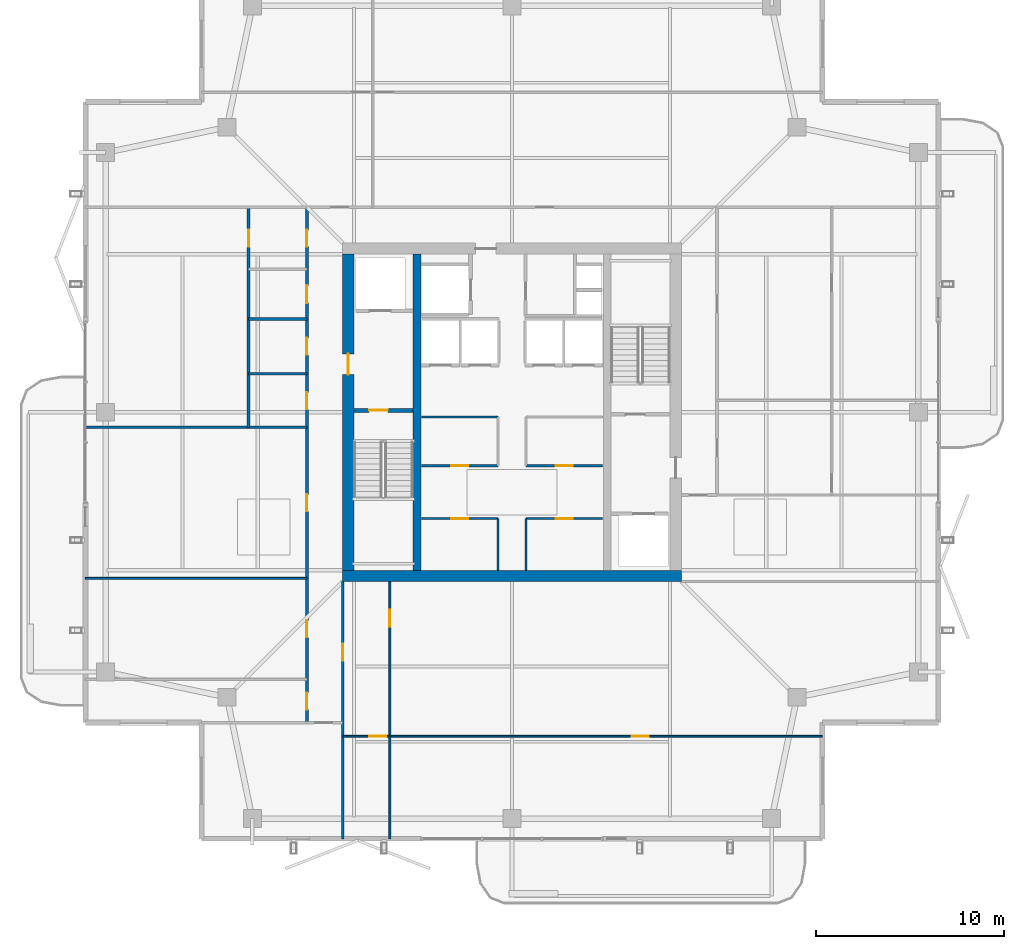
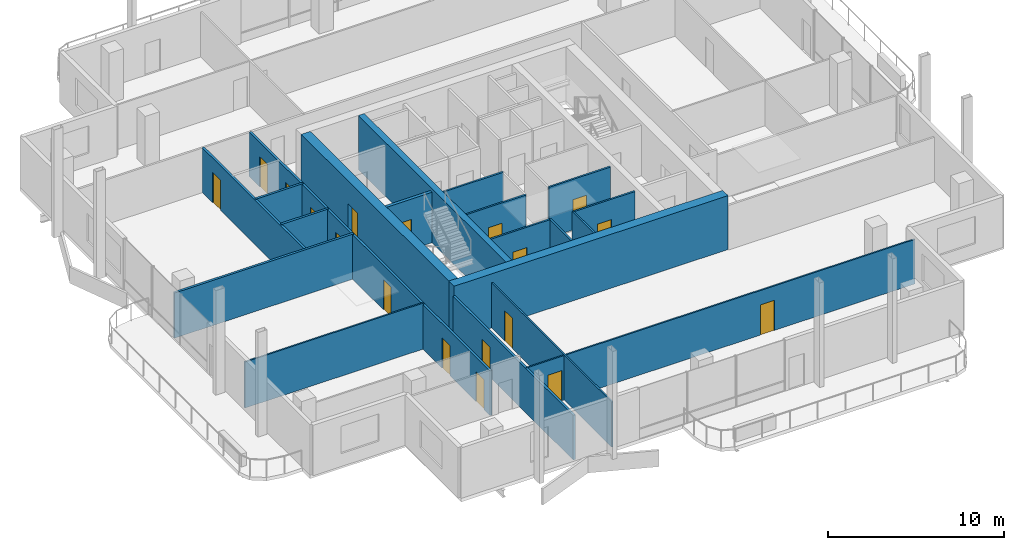
# One storey, part 14 of 20: 21 walls, 18 doors, 18 openings.
"""IFC4 building model written with IfcOpenShell, lengths in metres."""

from ifc_helpers import new_model, si_unit, direction, frame, frame_2d, origin, place, context, subcontext, project, spatial, rectangle, extrude, material, layer, layer_set, type_object, element, fill, save


model = new_model("IFC4")

# Units and contexts
model_context = context("Model", 3, precision=1e-05, world=origin(), true_north=direction((0.0, 1.0)))
body_context = subcontext(model_context, "Body", "Model", "MODEL_VIEW")
ifc_project = project(units=[si_unit("LENGTHUNIT", "METRE"), si_unit("AREAUNIT", "SQUARE_METRE"), si_unit("VOLUMEUNIT", "CUBIC_METRE"), si_unit("PLANEANGLEUNIT", "RADIAN"), si_unit("MASSUNIT", "GRAM", prefix="KILO")], contexts=[model_context])

# Site, building, storey
site_placement = place(None, origin())
site = spatial("IfcSite", under=ifc_project, at=site_placement, CompositionType="ELEMENT")
building_placement = place(site_placement, origin())
building = spatial("IfcBuilding", under=site, at=building_placement, Name="Belovzor Exchange Tower", CompositionType="ELEMENT")
storey_placement = place(building_placement, frame((0.0, 0.0, 321.75)))
storey = spatial("IfcBuildingStorey", under=building, at=storey_placement, Name="L80", CompositionType="ELEMENT", Elevation=321.75)

# Wall
ifc_material_1 = material(Name="Acoustic Laminated Glass and Aluminium", Category="aluminium")
ifc_layer_1 = layer(ifc_material_1, 0.10009765625)
ifc_layer_set_1 = layer_set([ifc_layer_1], Name="Acoustic Laminated Glass and Aluminium")
wall_type_1 = type_object("IfcWallType", Name="Demountable Executive Glass Partition 100", PredefinedType="MOVABLE", material=ifc_layer_set_1)
wall_1_placement = place(storey_placement, frame((6.1298828125, 19.968017578125, 0.0), z_axis=(0.0, 0.0, 1.0), x_axis=(1.0, 0.0, 0.0)))
element("IfcWall", 1, at=wall_1_placement, inside=storey, type_object=wall_type_1, Name="W-M100 Partition Wall W-L80-WDIV-2", PredefinedType="MOVABLE", context=body_context, shape_type="SweptSolid", body=[
    extrude(rectangle(XDim=11.77001953125, YDim=0.10009765625, at=frame_2d((5.885009765625, 0.0))), origin(), (0.0, 0.0, 1.0), 3.195068359375),
])

# Wall, opening, door
wall_2_placement = place(storey_placement, frame((19.800048828125, 11.5791015625, 0.0), z_axis=(0.0, 0.0, 1.0), x_axis=(1.0, 0.0, 0.0)))
wall_2 = element("IfcWall", 2, at=wall_2_placement, inside=storey, type_object=wall_type_1, Name="W-M100 Partition Wall W-L80-SHDIV-0", PredefinedType="MOVABLE", context=body_context, shape_type="SweptSolid", body=[
    extrude(rectangle(XDim=2.509033203125, YDim=0.10009765625, at=frame_2d((1.25439453125, 0.0))), origin(), (0.0, 0.0, 1.0), 3.094970703125),
])
opening_1_placement = place(wall_2_placement, frame((1.408935546875, 0.0, 0.0)))
opening_1 = element("IfcOpeningElement", 3, at=opening_1_placement, cuts=wall_2, Name="Opening D-INT-090", PredefinedType="OPENING", context=body_context, shape_type="SweptSolid", body=[
    extrude(rectangle(XDim=0.89990234375, YDim=2.10009765625, at=frame_2d((0.449951171875, 1.050048828125))), frame((0.0, 0.06005859375, 0.0), z_axis=(0.0, -1.0, 0.0), x_axis=(1.0, 0.0, 0.0)), (0.0, 0.0, 1.0), 0.1201171875),
])
ifc_material_2 = material(Name="Veneered Hardwood Acoustic Leaf", Category="wood")
door_type_1 = type_object("IfcDoorType", Name="Trading Suite Acoustic Single Door 900x2100", OperationType="NOTDEFINED", PredefinedType="DOOR", material=ifc_material_2)
door_1_placement = place(opening_1_placement, origin())
door_1 = element("IfcDoor", 4, at=door_1_placement, inside=storey, type_object=door_type_1, Name="D-INT-090 Trading Suite Acoustic Single Door 900x2100", OperationType="SINGLE_SWING_LEFT", OverallHeight=2.10009765625, OverallWidth=0.89990234375, PredefinedType="DOOR", context=body_context, shape_type="SweptSolid", body=[
    extrude(rectangle(XDim=0.89990234375, YDim=2.10009765625, at=frame_2d((0.449951171875, 1.050048828125))), frame((0.0, 0.02490234375, 0.0), z_axis=(0.0, -1.0, 0.0), x_axis=(1.0, 0.0, 0.0)), (0.0, 0.0, 1.0), 0.050048828125),
])
fill(opening_1, door_1)

wall_3_placement = place(storey_placement, frame((22.30908203125, 6.1298828125, 0.0), z_axis=(0.0, 0.0, 1.0), x_axis=(0.0, 1.0, 0.0)))
wall_3 = element("IfcWall", 5, at=wall_3_placement, inside=storey, type_object=wall_type_1, Name="W-M100 Partition Wall W-L80-SDIV-1", PredefinedType="MOVABLE", context=body_context, shape_type="SweptSolid", body=[
    extrude(rectangle(XDim=13.670166015625, YDim=0.10009765625, at=frame_2d((6.8349609375, 0.0))), origin(), (0.0, 0.0, 1.0), 3.135009765625),
])
opening_2_placement = place(wall_3_placement, frame((11.27001953125, 0.0, 0.0)))
opening_2 = element("IfcOpeningElement", 6, at=opening_2_placement, cuts=wall_3, Name="Opening D-INT-090", PredefinedType="OPENING", context=body_context, shape_type="SweptSolid", body=[
    extrude(rectangle(XDim=0.89990234375, YDim=2.10009765625, at=frame_2d((0.449951171875, 1.050048828125))), frame((0.0, 0.06005859375, 0.0), z_axis=(0.0, -1.0, 0.0), x_axis=(1.0, 0.0, 0.0)), (0.0, 0.0, 1.0), 0.1201171875),
])
door_2_placement = place(opening_2_placement, origin())
door_2 = element("IfcDoor", 7, at=door_2_placement, inside=storey, type_object=door_type_1, Name="D-INT-090 Trading Suite Acoustic Single Door 900x2100", OperationType="SINGLE_SWING_LEFT", OverallHeight=2.10009765625, OverallWidth=0.89990234375, PredefinedType="DOOR", context=body_context, shape_type="SweptSolid", body=[
    extrude(rectangle(XDim=0.89990234375, YDim=2.10009765625, at=frame_2d((0.449951171875, 1.050048828125))), frame((0.0, 0.02490234375, 0.0), z_axis=(0.0, -1.0, 0.0), x_axis=(1.0, 0.0, 0.0)), (0.0, 0.0, 1.0), 0.050048828125),
])
fill(opening_2, door_2)

wall_4_placement = place(storey_placement, frame((22.30908203125, 11.5791015625, 0.0), z_axis=(0.0, 0.0, 1.0), x_axis=(1.0, 0.0, 0.0)))
wall_4 = element("IfcWall", 8, at=wall_4_placement, inside=storey, type_object=wall_type_1, Name="W-M100 Partition Wall W-L80-SHDIV-1", PredefinedType="MOVABLE", context=body_context, shape_type="SweptSolid", body=[
    extrude(rectangle(XDim=22.990966796875, YDim=0.10009765625, at=frame_2d((11.49560546875, 0.0))), origin(), (0.0, 0.0, 1.0), 3.094970703125),
])
opening_3_placement = place(wall_4_placement, frame((12.85302734375, 0.0, 0.0)))
opening_3 = element("IfcOpeningElement", 9, at=opening_3_placement, cuts=wall_4, Name="Opening D-INT-090", PredefinedType="OPENING", context=body_context, shape_type="SweptSolid", body=[
    extrude(rectangle(XDim=0.89990234375, YDim=2.10009765625, at=frame_2d((0.449951171875, 1.050048828125))), frame((0.0, 0.06005859375, 0.0), z_axis=(0.0, -1.0, 0.0), x_axis=(1.0, 0.0, 0.0)), (0.0, 0.0, 1.0), 0.1201171875),
])
door_3_placement = place(opening_3_placement, origin())
door_3 = element("IfcDoor", 10, at=door_3_placement, inside=storey, type_object=door_type_1, Name="D-INT-090 Trading Suite Acoustic Single Door 900x2100", OperationType="SINGLE_SWING_LEFT", OverallHeight=2.10009765625, OverallWidth=0.89990234375, PredefinedType="DOOR", context=body_context, shape_type="SweptSolid", body=[
    extrude(rectangle(XDim=0.89990234375, YDim=2.10009765625, at=frame_2d((0.449951171875, 1.050048828125))), frame((0.0, 0.02490234375, 0.0), z_axis=(0.0, -1.0, 0.0), x_axis=(1.0, 0.0, 0.0)), (0.0, 0.0, 1.0), 0.050048828125),
])
fill(opening_3, door_3)

ifc_material_3 = material(Name="Fire-Rated Plasterboard on Galvanised Studs", Category="gypsum")
ifc_layer_2 = layer(ifc_material_3, 0.1201171875)
ifc_layer_set_2 = layer_set([ifc_layer_2], Name="Fire-Rated Plasterboard on Galvanised Studs")
wall_type_2 = type_object("IfcWallType", Name="Fire-Rated Double-Stud Partition Wall 120", PredefinedType="PARTITIONING", material=ifc_layer_set_2)
wall_5_placement = place(storey_placement, frame((24.0, 23.14990234375, 0.0), z_axis=(0.0, 0.0, 1.0), x_axis=(1.0, 0.0, 0.0)))
wall_5 = element("IfcWall", 11, at=wall_5_placement, inside=storey, type_object=wall_type_2, Name="W-P120F Partition Wall W-CRL-L80-WN", PredefinedType="PARTITIONING", context=body_context, shape_type="SweptSolid", body=[
    extrude(rectangle(XDim=4.050048828125, YDim=0.1201171875, at=frame_2d((2.02490234375, 0.0))), origin(), (0.0, 0.0, 1.0), 3.510009765625),
])
opening_4_placement = place(wall_5_placement, frame((1.574951171875, 0.0, 0.0)))
opening_4 = element("IfcOpeningElement", 12, at=opening_4_placement, cuts=wall_5, Name="Opening D-FD60-090", PredefinedType="OPENING", context=body_context, shape_type="SweptSolid", body=[
    extrude(rectangle(XDim=0.89990234375, YDim=2.10009765625, at=frame_2d((0.449951171875, 1.050048828125))), frame((0.0, 0.070068359375, 0.0), z_axis=(0.0, -1.0, 0.0), x_axis=(1.0, 0.0, 0.0)), (0.0, 0.0, 1.0), 0.14013671875),
])
ifc_material_4 = material(Name="Acoustic Timber Fire Leaf", Category="wood")
door_type_2 = type_object("IfcDoorType", Name="Core Service & Restroom Fire Door 900x2100", OperationType="NOTDEFINED", PredefinedType="DOOR", material=ifc_material_4)
door_4_placement = place(opening_4_placement, origin())
door_4 = element("IfcDoor", 13, at=door_4_placement, inside=storey, type_object=door_type_2, Name="D-FD60-090 Core Service & Restroom Fire Door 900x2100", OperationType="SINGLE_SWING_LEFT", OverallHeight=2.10009765625, OverallWidth=0.89990234375, PredefinedType="DOOR", context=body_context, shape_type="SweptSolid", body=[
    extrude(rectangle(XDim=0.89990234375, YDim=2.10009765625, at=frame_2d((0.449951171875, 1.050048828125))), frame((0.0, 0.02490234375, 0.0), z_axis=(0.0, -1.0, 0.0), x_axis=(1.0, 0.0, 0.0)), (0.0, 0.0, 1.0), 0.050048828125),
])
fill(opening_4, door_4)

# Wall
wall_6_placement = place(storey_placement, frame((28.050048828125, 20.39990234375, 0.0), z_axis=(0.0, 0.0, 1.0), x_axis=(0.0, 1.0, 0.0)))
element("IfcWall", 14, at=wall_6_placement, inside=storey, type_object=wall_type_2, Name="W-P120F Partition Wall W-CRL-L80-WE", PredefinedType="PARTITIONING", context=body_context, shape_type="SweptSolid", body=[
    extrude(rectangle(XDim=2.75, YDim=0.1201171875, at=frame_2d((1.375, 0.0))), origin(), (0.0, 0.0, 1.0), 3.510009765625),
])

# Wall, opening, door
wall_7_placement = place(storey_placement, frame((29.550048828125, 23.14990234375, 0.0), z_axis=(0.0, 0.0, 1.0), x_axis=(1.0, 0.0, 0.0)))
wall_7 = element("IfcWall", 15, at=wall_7_placement, inside=storey, type_object=wall_type_2, Name="W-P120F Partition Wall W-CRL-L80-EN", PredefinedType="PARTITIONING", context=body_context, shape_type="SweptSolid", body=[
    extrude(rectangle(XDim=4.050048828125, YDim=0.1201171875, at=frame_2d((2.02490234375, 0.0))), origin(), (0.0, 0.0, 1.0), 3.510009765625),
])
opening_5_placement = place(wall_7_placement, frame((1.574951171875, 0.0, 0.0)))
opening_5 = element("IfcOpeningElement", 16, at=opening_5_placement, cuts=wall_7, Name="Opening D-FD60-090", PredefinedType="OPENING", context=body_context, shape_type="SweptSolid", body=[
    extrude(rectangle(XDim=0.89990234375, YDim=2.10009765625, at=frame_2d((0.449951171875, 1.050048828125))), frame((0.0, 0.070068359375, 0.0), z_axis=(0.0, -1.0, 0.0), x_axis=(1.0, 0.0, 0.0)), (0.0, 0.0, 1.0), 0.14013671875),
])
door_5_placement = place(opening_5_placement, origin())
door_5 = element("IfcDoor", 17, at=door_5_placement, inside=storey, type_object=door_type_2, Name="D-FD60-090 Core Service & Restroom Fire Door 900x2100", OperationType="SINGLE_SWING_RIGHT", OverallHeight=2.10009765625, OverallWidth=0.89990234375, PredefinedType="DOOR", context=body_context, shape_type="SweptSolid", body=[
    extrude(rectangle(XDim=0.89990234375, YDim=2.10009765625, at=frame_2d((0.449951171875, 1.050048828125))), frame((0.0, 0.02490234375, 0.0), z_axis=(0.0, -1.0, 0.0), x_axis=(1.0, 0.0, 0.0)), (0.0, 0.0, 1.0), 0.050048828125),
])
fill(opening_5, door_5)

# Wall
wall_8_placement = place(storey_placement, frame((29.550048828125, 20.39990234375, 0.0), z_axis=(0.0, 0.0, 1.0), x_axis=(0.0, 1.0, 0.0)))
element("IfcWall", 18, at=wall_8_placement, inside=storey, type_object=wall_type_2, Name="W-P120F Partition Wall W-CRL-L80-EW", PredefinedType="PARTITIONING", context=body_context, shape_type="SweptSolid", body=[
    extrude(rectangle(XDim=2.75, YDim=0.1201171875, at=frame_2d((1.375, 0.0))), origin(), (0.0, 0.0, 1.0), 3.510009765625),
])

# Wall, opening, door
wall_9_placement = place(storey_placement, frame((24.0, 25.949951171875, 0.0), z_axis=(0.0, 0.0, 1.0), x_axis=(1.0, 0.0, 0.0)))
wall_9 = element("IfcWall", 19, at=wall_9_placement, inside=storey, type_object=wall_type_2, Name="W-P120F Partition Wall W-CRM-L80-WS", PredefinedType="PARTITIONING", context=body_context, shape_type="SweptSolid", body=[
    extrude(rectangle(XDim=4.050048828125, YDim=0.1201171875, at=frame_2d((2.02490234375, 0.0))), origin(), (0.0, 0.0, 1.0), 3.510009765625),
])
opening_6_placement = place(wall_9_placement, frame((1.574951171875, 0.0, 0.0)))
opening_6 = element("IfcOpeningElement", 20, at=opening_6_placement, cuts=wall_9, Name="Opening D-FD60-090", PredefinedType="OPENING", context=body_context, shape_type="SweptSolid", body=[
    extrude(rectangle(XDim=0.89990234375, YDim=2.10009765625, at=frame_2d((0.449951171875, 1.050048828125))), frame((0.0, 0.070068359375, 0.0), z_axis=(0.0, -1.0, 0.0), x_axis=(1.0, 0.0, 0.0)), (0.0, 0.0, 1.0), 0.14013671875),
])
door_6_placement = place(opening_6_placement, origin())
door_6 = element("IfcDoor", 21, at=door_6_placement, inside=storey, type_object=door_type_2, Name="D-FD60-090 Core Service & Restroom Fire Door 900x2100", OperationType="SINGLE_SWING_LEFT", OverallHeight=2.10009765625, OverallWidth=0.89990234375, PredefinedType="DOOR", context=body_context, shape_type="SweptSolid", body=[
    extrude(rectangle(XDim=0.89990234375, YDim=2.10009765625, at=frame_2d((0.449951171875, 1.050048828125))), frame((0.0, 0.02490234375, 0.0), z_axis=(0.0, -1.0, 0.0), x_axis=(1.0, 0.0, 0.0)), (0.0, 0.0, 1.0), 0.050048828125),
])
fill(opening_6, door_6)

# Wall
wall_10_placement = place(storey_placement, frame((24.0, 28.550048828125, 0.0), z_axis=(0.0, 0.0, 1.0), x_axis=(1.0, 0.0, 0.0)))
element("IfcWall", 22, at=wall_10_placement, inside=storey, type_object=wall_type_2, Name="W-P120F Partition Wall W-CRM-L80-WN", PredefinedType="PARTITIONING", context=body_context, shape_type="SweptSolid", body=[
    extrude(rectangle(XDim=4.050048828125, YDim=0.1201171875, at=frame_2d((2.02490234375, 0.0))), origin(), (0.0, 0.0, 1.0), 3.510009765625),
])

# Wall, opening, door
wall_11_placement = place(storey_placement, frame((29.550048828125, 25.949951171875, 0.0), z_axis=(0.0, 0.0, 1.0), x_axis=(1.0, 0.0, 0.0)))
wall_11 = element("IfcWall", 23, at=wall_11_placement, inside=storey, type_object=wall_type_2, Name="W-P120F Partition Wall W-CRM-L80-ES", PredefinedType="PARTITIONING", context=body_context, shape_type="SweptSolid", body=[
    extrude(rectangle(XDim=4.050048828125, YDim=0.1201171875, at=frame_2d((2.02490234375, 0.0))), origin(), (0.0, 0.0, 1.0), 3.510009765625),
])
opening_7_placement = place(wall_11_placement, frame((1.574951171875, 0.0, 0.0)))
opening_7 = element("IfcOpeningElement", 24, at=opening_7_placement, cuts=wall_11, Name="Opening D-FD60-090", PredefinedType="OPENING", context=body_context, shape_type="SweptSolid", body=[
    extrude(rectangle(XDim=0.89990234375, YDim=2.10009765625, at=frame_2d((0.449951171875, 1.050048828125))), frame((0.0, 0.070068359375, 0.0), z_axis=(0.0, -1.0, 0.0), x_axis=(1.0, 0.0, 0.0)), (0.0, 0.0, 1.0), 0.14013671875),
])
door_7_placement = place(opening_7_placement, origin())
door_7 = element("IfcDoor", 25, at=door_7_placement, inside=storey, type_object=door_type_2, Name="D-FD60-090 Core Service & Restroom Fire Door 900x2100", OperationType="SINGLE_SWING_RIGHT", OverallHeight=2.10009765625, OverallWidth=0.89990234375, PredefinedType="DOOR", context=body_context, shape_type="SweptSolid", body=[
    extrude(rectangle(XDim=0.89990234375, YDim=2.10009765625, at=frame_2d((0.449951171875, 1.050048828125))), frame((0.0, 0.02490234375, 0.0), z_axis=(0.0, -1.0, 0.0), x_axis=(1.0, 0.0, 0.0)), (0.0, 0.0, 1.0), 0.050048828125),
])
fill(opening_7, door_7)

ifc_material_5 = material(Name="Fire-Rated Gypsum Block and Mineral Wool", Category="gypsum")
ifc_layer_3 = layer(ifc_material_5, 0.14990234375)
ifc_layer_set_3 = layer_set([ifc_layer_3], Name="Fire-Rated Gypsum Block and Mineral Wool")
wall_type_3 = type_object("IfcWallType", Name="Fire-Rated Gypsum Block Corridor Wall 150", PredefinedType="PARTITIONING", material=ifc_layer_set_3)
wall_12_placement = place(storey_placement, frame((14.800048828125, 28.0, 0.0), z_axis=(0.0, 0.0, 1.0), x_axis=(0.0, 1.0, 0.0)))
wall_12 = element("IfcWall", 26, at=wall_12_placement, inside=storey, type_object=wall_type_3, Name="W-P150 Partition Wall W-L80-WCW", PredefinedType="PARTITIONING", context=body_context, shape_type="SweptSolid", body=[
    extrude(rectangle(XDim=11.699951171875, YDim=0.14990234375, at=frame_2d((5.85009765625, 0.0))), origin(), (0.0, 0.0, 1.0), 3.094970703125),
])
opening_8_placement = place(wall_12_placement, frame((9.60009765625, 0.0, 0.0)))
opening_8 = element("IfcOpeningElement", 27, at=opening_8_placement, cuts=wall_12, Name="Opening D-INT-090", PredefinedType="OPENING", context=body_context, shape_type="SweptSolid", body=[
    extrude(rectangle(XDim=0.89990234375, YDim=2.10009765625, at=frame_2d((0.449951171875, 1.050048828125))), frame((0.0, 0.0849609375, 0.0), z_axis=(0.0, -1.0, 0.0), x_axis=(1.0, 0.0, 0.0)), (0.0, 0.0, 1.0), 0.169921875),
])
door_8_placement = place(opening_8_placement, origin())
door_8 = element("IfcDoor", 28, at=door_8_placement, inside=storey, type_object=door_type_1, Name="D-INT-090 Trading Suite Acoustic Single Door 900x2100", OperationType="SINGLE_SWING_LEFT", OverallHeight=2.10009765625, OverallWidth=0.89990234375, PredefinedType="DOOR", context=body_context, shape_type="SweptSolid", body=[
    extrude(rectangle(XDim=0.89990234375, YDim=2.10009765625, at=frame_2d((0.449951171875, 1.050048828125))), frame((0.0, 0.02490234375, 0.0), z_axis=(0.0, -1.0, 0.0), x_axis=(1.0, 0.0, 0.0)), (0.0, 0.0, 1.0), 0.050048828125),
])
fill(opening_8, door_8)

# Walls
wall_13_placement = place(storey_placement, frame((6.1298828125, 28.0, 0.0), z_axis=(0.0, 0.0, 1.0), x_axis=(1.0, 0.0, 0.0)))
element("IfcWall", 29, at=wall_13_placement, inside=storey, type_object=wall_type_3, Name="W-P150 Partition Wall W-L80-WCS", PredefinedType="PARTITIONING", context=body_context, shape_type="SweptSolid", body=[
    extrude(rectangle(XDim=11.77001953125, YDim=0.14990234375, at=frame_2d((5.885009765625, 0.0))), origin(), (0.0, 0.0, 1.0), 3.135009765625),
])
for number, where, z_axis, x_axis, name in (
    (30, (14.800048828125, 30.85009765625, 0.0), (0.0, 0.0, 1.0), (1.0, 0.0, 0.0), "W-P150 Partition Wall W-L80-WCD1"),
    (31, (14.800048828125, 33.75, 0.0), (0.0, 0.0, 1.0), (1.0, 0.0, 0.0), "W-P150 Partition Wall W-L80-WCD2"),
):
    element("IfcWall", number, at=place(storey_placement, frame(where, z_axis=z_axis, x_axis=x_axis)), inside=storey, type_object=wall_type_3, Name=name, PredefinedType="PARTITIONING", context=body_context, shape_type="SweptSolid", body=[
        extrude(rectangle(XDim=3.099853515625, YDim=0.14990234375, at=frame_2d((1.5498046875, 0.0))), origin(), (0.0, 0.0, 1.0), 3.135009765625),
    ])

# Wall, opening, door
wall_14_placement = place(storey_placement, frame((19.800048828125, 6.1298828125, 0.0), z_axis=(0.0, 0.0, 1.0), x_axis=(0.0, 1.0, 0.0)))
wall_14 = element("IfcWall", 32, at=wall_14_placement, inside=storey, type_object=wall_type_3, Name="W-P150 Partition Wall W-L80-CW-E", PredefinedType="PARTITIONING", context=body_context, shape_type="SweptSolid", body=[
    extrude(rectangle(XDim=13.670166015625, YDim=0.14990234375, at=frame_2d((6.8349609375, 0.0))), origin(), (0.0, 0.0, 1.0), 3.094970703125),
])
opening_9_placement = place(wall_14_placement, frame((9.469970703125, 0.0, 0.0)))
opening_9 = element("IfcOpeningElement", 33, at=opening_9_placement, cuts=wall_14, Name="Opening D-FD60-090", PredefinedType="OPENING", context=body_context, shape_type="SweptSolid", body=[
    extrude(rectangle(XDim=0.89990234375, YDim=2.10009765625, at=frame_2d((0.449951171875, 1.050048828125))), frame((0.0, 0.0849609375, 0.0), z_axis=(0.0, -1.0, 0.0), x_axis=(1.0, 0.0, 0.0)), (0.0, 0.0, 1.0), 0.169921875),
])
door_9_placement = place(opening_9_placement, origin())
door_9 = element("IfcDoor", 34, at=door_9_placement, inside=storey, type_object=door_type_2, Name="D-FD60-090 Core Service & Restroom Fire Door 900x2100", OperationType="SINGLE_SWING_RIGHT", OverallHeight=2.10009765625, OverallWidth=0.89990234375, PredefinedType="DOOR", context=body_context, shape_type="SweptSolid", body=[
    extrude(rectangle(XDim=0.89990234375, YDim=2.10009765625, at=frame_2d((0.449951171875, 1.050048828125))), frame((0.0, 0.02490234375, 0.0), z_axis=(0.0, -1.0, 0.0), x_axis=(1.0, 0.0, 0.0)), (0.0, 0.0, 1.0), 0.050048828125),
])
fill(opening_9, door_9)

# Wall, openings, doors
wall_15_placement = place(storey_placement, frame((17.89990234375, 12.300048828125, 0.0), z_axis=(0.0, 0.0, 1.0), x_axis=(0.0, 1.0, 0.0)))
wall_15 = element("IfcWall", 35, at=wall_15_placement, inside=storey, type_object=wall_type_3, Name="W-P150 Partition Wall W-L80-CW", PredefinedType="PARTITIONING", context=body_context, shape_type="SweptSolid", body=[
    extrude(rectangle(XDim=27.39990234375, YDim=0.14990234375, at=frame_2d((13.699951171875, 0.0))), origin(), (0.0, 0.0, 1.0), 3.094970703125),
])
opening_10_placement = place(wall_15_placement, frame((0.699951171875, 0.0, 0.0)))
opening_10 = element("IfcOpeningElement", 36, at=opening_10_placement, cuts=wall_15, Name="Opening D-INT-090", PredefinedType="OPENING", context=body_context, shape_type="SweptSolid", body=[
    extrude(rectangle(XDim=0.89990234375, YDim=2.10009765625, at=frame_2d((0.449951171875, 1.050048828125))), frame((0.0, 0.0849609375, 0.0), z_axis=(0.0, -1.0, 0.0), x_axis=(1.0, 0.0, 0.0)), (0.0, 0.0, 1.0), 0.169921875),
])
opening_11_placement = place(wall_15_placement, frame((4.533935546875, 0.0, 0.0)))
opening_11 = element("IfcOpeningElement", 37, at=opening_11_placement, cuts=wall_15, Name="Opening D-INT-090", PredefinedType="OPENING", context=body_context, shape_type="SweptSolid", body=[
    extrude(rectangle(XDim=0.89990234375, YDim=2.10009765625, at=frame_2d((0.449951171875, 1.050048828125))), frame((0.0, 0.0849609375, 0.0), z_axis=(0.0, -1.0, 0.0), x_axis=(1.0, 0.0, 0.0)), (0.0, 0.0, 1.0), 0.169921875),
])
opening_12_placement = place(wall_15_placement, frame((11.23388671875, 0.0, 0.0)))
opening_12 = element("IfcOpeningElement", 38, at=opening_12_placement, cuts=wall_15, Name="Opening D-INT-090", PredefinedType="OPENING", context=body_context, shape_type="SweptSolid", body=[
    extrude(rectangle(XDim=0.89990234375, YDim=2.10009765625, at=frame_2d((0.449951171875, 1.050048828125))), frame((0.0, 0.0849609375, 0.0), z_axis=(0.0, -1.0, 0.0), x_axis=(1.0, 0.0, 0.0)), (0.0, 0.0, 1.0), 0.169921875),
])
opening_13_placement = place(wall_15_placement, frame((16.64990234375, 0.0, 0.0)))
opening_13 = element("IfcOpeningElement", 39, at=opening_13_placement, cuts=wall_15, Name="Opening D-FD60-090", PredefinedType="OPENING", context=body_context, shape_type="SweptSolid", body=[
    extrude(rectangle(XDim=0.89990234375, YDim=2.10009765625, at=frame_2d((0.449951171875, 1.050048828125))), frame((0.0, 0.0849609375, 0.0), z_axis=(0.0, -1.0, 0.0), x_axis=(1.0, 0.0, 0.0)), (0.0, 0.0, 1.0), 0.169921875),
])
opening_14_placement = place(wall_15_placement, frame((19.550048828125, 0.0, 0.0)))
opening_14 = element("IfcOpeningElement", 40, at=opening_14_placement, cuts=wall_15, Name="Opening D-FD60-090", PredefinedType="OPENING", context=body_context, shape_type="SweptSolid", body=[
    extrude(rectangle(XDim=0.89990234375, YDim=2.10009765625, at=frame_2d((0.449951171875, 1.050048828125))), frame((0.0, 0.0849609375, 0.0), z_axis=(0.0, -1.0, 0.0), x_axis=(1.0, 0.0, 0.0)), (0.0, 0.0, 1.0), 0.169921875),
])
opening_15_placement = place(wall_15_placement, frame((22.300048828125, 0.0, 0.0)))
opening_15 = element("IfcOpeningElement", 41, at=opening_15_placement, cuts=wall_15, Name="Opening D-FD60-095", PredefinedType="OPENING", context=body_context, shape_type="SweptSolid", body=[
    extrude(rectangle(XDim=0.949951171875, YDim=2.10009765625, at=frame_2d((0.47509765625, 1.050048828125))), frame((0.0, 0.0849609375, 0.0), z_axis=(0.0, -1.0, 0.0), x_axis=(1.0, 0.0, 0.0)), (0.0, 0.0, 1.0), 0.169921875),
])
opening_16_placement = place(wall_15_placement, frame((25.300048828125, 0.0, 0.0)))
opening_16 = element("IfcOpeningElement", 42, at=opening_16_placement, cuts=wall_15, Name="Opening D-FD60-090", PredefinedType="OPENING", context=body_context, shape_type="SweptSolid", body=[
    extrude(rectangle(XDim=0.89990234375, YDim=2.10009765625, at=frame_2d((0.449951171875, 1.050048828125))), frame((0.0, 0.0849609375, 0.0), z_axis=(0.0, -1.0, 0.0), x_axis=(1.0, 0.0, 0.0)), (0.0, 0.0, 1.0), 0.169921875),
])
ifc_material_6 = material(Name="Moisture-Resistant Timber Fire Leaf", Category="wood")
door_type_3 = type_object("IfcDoorType", Name="Accessible Restroom Wide Fire Door 950x2100", OperationType="NOTDEFINED", PredefinedType="DOOR", material=ifc_material_6)
door_10_placement = place(opening_15_placement, origin())
door_10 = element("IfcDoor", 43, at=door_10_placement, inside=storey, type_object=door_type_3, Name="D-FD60-095 Accessible Restroom Wide Fire Door 950x2100", OperationType="SINGLE_SWING_LEFT", OverallHeight=2.10009765625, OverallWidth=0.949951171875, PredefinedType="DOOR", context=body_context, shape_type="SweptSolid", body=[
    extrude(rectangle(XDim=0.949951171875, YDim=2.10009765625, at=frame_2d((0.47509765625, 1.050048828125))), frame((0.0, 0.02490234375, 0.0), z_axis=(0.0, -1.0, 0.0), x_axis=(1.0, 0.0, 0.0)), (0.0, 0.0, 1.0), 0.050048828125),
])
fill(opening_15, door_10)
door_11_placement = place(opening_13_placement, origin())
door_11 = element("IfcDoor", 44, at=door_11_placement, inside=storey, type_object=door_type_2, Name="D-FD60-090 Core Service & Restroom Fire Door 900x2100", OperationType="SINGLE_SWING_LEFT", OverallHeight=2.10009765625, OverallWidth=0.89990234375, PredefinedType="DOOR", context=body_context, shape_type="SweptSolid", body=[
    extrude(rectangle(XDim=0.89990234375, YDim=2.10009765625, at=frame_2d((0.449951171875, 1.050048828125))), frame((0.0, 0.02490234375, 0.0), z_axis=(0.0, -1.0, 0.0), x_axis=(1.0, 0.0, 0.0)), (0.0, 0.0, 1.0), 0.050048828125),
])
fill(opening_13, door_11)
door_12_placement = place(opening_14_placement, origin())
door_12 = element("IfcDoor", 45, at=door_12_placement, inside=storey, type_object=door_type_2, Name="D-FD60-090 Core Service & Restroom Fire Door 900x2100", OperationType="SINGLE_SWING_RIGHT", OverallHeight=2.10009765625, OverallWidth=0.89990234375, PredefinedType="DOOR", context=body_context, shape_type="SweptSolid", body=[
    extrude(rectangle(XDim=0.89990234375, YDim=2.10009765625, at=frame_2d((0.449951171875, 1.050048828125))), frame((0.0, 0.02490234375, 0.0), z_axis=(0.0, -1.0, 0.0), x_axis=(1.0, 0.0, 0.0)), (0.0, 0.0, 1.0), 0.050048828125),
])
fill(opening_14, door_12)
door_13_placement = place(opening_16_placement, origin())
door_13 = element("IfcDoor", 46, at=door_13_placement, inside=storey, type_object=door_type_2, Name="D-FD60-090 Core Service & Restroom Fire Door 900x2100", OperationType="SINGLE_SWING_LEFT", OverallHeight=2.10009765625, OverallWidth=0.89990234375, PredefinedType="DOOR", context=body_context, shape_type="SweptSolid", body=[
    extrude(rectangle(XDim=0.89990234375, YDim=2.10009765625, at=frame_2d((0.449951171875, 1.050048828125))), frame((0.0, 0.02490234375, 0.0), z_axis=(0.0, -1.0, 0.0), x_axis=(1.0, 0.0, 0.0)), (0.0, 0.0, 1.0), 0.050048828125),
])
fill(opening_16, door_13)
door_14_placement = place(opening_10_placement, origin())
door_14 = element("IfcDoor", 47, at=door_14_placement, inside=storey, type_object=door_type_1, Name="D-INT-090 Trading Suite Acoustic Single Door 900x2100", OperationType="SINGLE_SWING_LEFT", OverallHeight=2.10009765625, OverallWidth=0.89990234375, PredefinedType="DOOR", context=body_context, shape_type="SweptSolid", body=[
    extrude(rectangle(XDim=0.89990234375, YDim=2.10009765625, at=frame_2d((0.449951171875, 1.050048828125))), frame((0.0, 0.02490234375, 0.0), z_axis=(0.0, -1.0, 0.0), x_axis=(1.0, 0.0, 0.0)), (0.0, 0.0, 1.0), 0.050048828125),
])
fill(opening_10, door_14)
door_15_placement = place(opening_11_placement, origin())
door_15 = element("IfcDoor", 48, at=door_15_placement, inside=storey, type_object=door_type_1, Name="D-INT-090 Trading Suite Acoustic Single Door 900x2100", OperationType="SINGLE_SWING_RIGHT", OverallHeight=2.10009765625, OverallWidth=0.89990234375, PredefinedType="DOOR", context=body_context, shape_type="SweptSolid", body=[
    extrude(rectangle(XDim=0.89990234375, YDim=2.10009765625, at=frame_2d((0.449951171875, 1.050048828125))), frame((0.0, 0.02490234375, 0.0), z_axis=(0.0, -1.0, 0.0), x_axis=(1.0, 0.0, 0.0)), (0.0, 0.0, 1.0), 0.050048828125),
])
fill(opening_11, door_15)
door_16_placement = place(opening_12_placement, origin())
door_16 = element("IfcDoor", 49, at=door_16_placement, inside=storey, type_object=door_type_1, Name="D-INT-090 Trading Suite Acoustic Single Door 900x2100", OperationType="SINGLE_SWING_LEFT", OverallHeight=2.10009765625, OverallWidth=0.89990234375, PredefinedType="DOOR", context=body_context, shape_type="SweptSolid", body=[
    extrude(rectangle(XDim=0.89990234375, YDim=2.10009765625, at=frame_2d((0.449951171875, 1.050048828125))), frame((0.0, 0.02490234375, 0.0), z_axis=(0.0, -1.0, 0.0), x_axis=(1.0, 0.0, 0.0)), (0.0, 0.0, 1.0), 0.050048828125),
])
fill(opening_12, door_16)

# Wall
ifc_material_7 = material(Name="Concrete C50/60", Category="concrete")
ifc_layer_4 = layer(ifc_material_7, 0.39990234375)
ifc_layer_set_4 = layer_set([ifc_layer_4], Name="Concrete C50/60")
wall_type_4 = type_object("IfcWallType", Name="Reinforced Concrete Core Internal Web Wall 400", PredefinedType="SHEAR", material=ifc_layer_set_4)
wall_16_placement = place(storey_placement, frame((23.75, 20.39990234375, 0.0), z_axis=(0.0, 0.0, 1.0), x_axis=(0.0, 1.0, 0.0)))
element("IfcWall", 50, at=wall_16_placement, inside=storey, type_object=wall_type_4, Name="CW-W040 Core Internal Web Wall L80 WL", PredefinedType="SHEAR", context=body_context, shape_type="SweptSolid", body=[
    extrude(rectangle(XDim=16.800048828125, YDim=0.39990234375, at=frame_2d((8.39990234375, 0.0))), origin(), (0.0, 0.0, 1.0), 3.75),
])

# Wall, opening, door
ifc_material_8 = material(Name="Concrete C50/60", Category="concrete")
ifc_layer_5 = layer(ifc_material_8, 0.199951171875)
ifc_layer_set_5 = layer_set([ifc_layer_5], Name="Concrete C50/60")
wall_type_5 = type_object("IfcWallType", Name="Reinforced Concrete Core Shaft Shear Wall 200", PredefinedType="SHEAR", material=ifc_layer_set_5)
wall_17_placement = place(storey_placement, frame((20.39990234375, 28.89990234375, 0.0), z_axis=(0.0, 0.0, 1.0), x_axis=(1.0, 0.0, 0.0)))
wall_17 = element("IfcWall", 51, at=wall_17_placement, inside=storey, type_object=wall_type_5, Name="W-C200S Core Shaft Wall W-CORE-L80-FFLW1", PredefinedType="SHEAR", context=body_context, shape_type="SweptSolid", body=[
    extrude(rectangle(XDim=3.150146484375, YDim=0.199951171875, at=frame_2d((1.5751953125, 0.0))), origin(), (0.0, 0.0, 1.0), 3.510009765625),
])
opening_17_placement = place(wall_17_placement, frame((0.800048828125, 0.0, 0.0)))
opening_17 = element("IfcOpeningElement", 52, at=opening_17_placement, cuts=wall_17, Name="Opening D-FD90-100", PredefinedType="OPENING", context=body_context, shape_type="SweptSolid", body=[
    extrude(rectangle(XDim=1.0, YDim=2.10009765625, at=frame_2d((0.5, 1.050048828125))), frame((0.0, 0.10986328125, 0.0), z_axis=(0.0, -1.0, 0.0), x_axis=(1.0, 0.0, 0.0)), (0.0, 0.0, 1.0), 0.219970703125),
])
ifc_material_9 = material(Name="Fire-Rated Galvanised Steel Leaf", Category="steel")
door_type_4 = type_object("IfcDoorType", Name="Protected Stairwell Single Fire Door 1000x2100", OperationType="NOTDEFINED", PredefinedType="DOOR", material=ifc_material_9)
door_17_placement = place(opening_17_placement, origin())
door_17 = element("IfcDoor", 53, at=door_17_placement, inside=storey, type_object=door_type_4, Name="D-FD90-100 Protected Stairwell Single Fire Door 1000x2100", OperationType="SINGLE_SWING_RIGHT", OverallHeight=2.10009765625, OverallWidth=1.0, PredefinedType="DOOR", context=body_context, shape_type="SweptSolid", body=[
    extrude(rectangle(XDim=1.0, YDim=2.10009765625, at=frame_2d((0.5, 1.050048828125))), frame((0.0, 0.02490234375, 0.0), z_axis=(0.0, -1.0, 0.0), x_axis=(1.0, 0.0, 0.0)), (0.0, 0.0, 1.0), 0.050048828125),
])
fill(opening_17, door_17)

# Wall
ifc_material_10 = material(Name="Concrete C50/60", Category="concrete")
ifc_layer_6 = layer(ifc_material_10, 0.60009765625)
ifc_layer_set_6 = layer_set([ifc_layer_6], Name="Concrete C50/60")
wall_type_6 = type_object("IfcWallType", Name="Reinforced Concrete Core Shear Wall 600", PredefinedType="SHEAR", material=ifc_layer_set_6)
wall_18_placement = place(storey_placement, frame((19.800048828125, 20.10009765625, 0.0), z_axis=(0.0, 0.0, 1.0), x_axis=(1.0, 0.0, 0.0)))
element("IfcWall", 54, at=wall_18_placement, inside=storey, type_object=wall_type_6, Name="CW-S060 Core Shear Wall L80 S", PredefinedType="SHEAR", context=body_context, shape_type="SweptSolid", body=[
    extrude(rectangle(XDim=18.0, YDim=0.60009765625, at=frame_2d((9.0, 0.0))), origin(), (0.0, 0.0, 1.0), 3.75),
])

# Wall, opening, door
wall_19_placement = place(storey_placement, frame((20.10009765625, 20.39990234375, 0.0), z_axis=(0.0, 0.0, 1.0), x_axis=(0.0, 1.0, 0.0)))
wall_19 = element("IfcWall", 55, at=wall_19_placement, inside=storey, type_object=wall_type_6, Name="CW-S060 Core Shear Wall L80 W", PredefinedType="SHEAR", context=body_context, shape_type="SweptSolid", body=[
    extrude(rectangle(XDim=16.800048828125, YDim=0.60009765625, at=frame_2d((8.39990234375, 0.0))), origin(), (0.0, 0.0, 1.0), 3.75),
])
opening_18_placement = place(wall_19_placement, frame((10.39990234375, 0.0, 0.0)))
opening_18 = element("IfcOpeningElement", 56, at=opening_18_placement, cuts=wall_19, Name="Opening D-FD90-110", PredefinedType="OPENING", context=body_context, shape_type="SweptSolid", body=[
    extrude(rectangle(XDim=1.10009765625, YDim=2.14990234375, at=frame_2d((0.550048828125, 1.074951171875))), frame((0.0, 0.31005859375, 0.0), z_axis=(0.0, -1.0, 0.0), x_axis=(1.0, 0.0, 0.0)), (0.0, 0.0, 1.0), 0.6201171875),
])
ifc_material_11 = material(Name="Fire-Rated Galvanised Steel Leaf", Category="steel")
door_type_5 = type_object("IfcDoorType", Name="Protected Escape Vestibule Fire Door 1100x2150", OperationType="NOTDEFINED", PredefinedType="DOOR", material=ifc_material_11)
door_18_placement = place(opening_18_placement, origin())
door_18 = element("IfcDoor", 57, at=door_18_placement, inside=storey, type_object=door_type_5, Name="D-FD90-110 Protected Escape Vestibule Fire Door 1100x2150", OperationType="SINGLE_SWING_LEFT", OverallHeight=2.14990234375, OverallWidth=1.10009765625, PredefinedType="DOOR", context=body_context, shape_type="SweptSolid", body=[
    extrude(rectangle(XDim=1.10009765625, YDim=2.14990234375, at=frame_2d((0.550048828125, 1.074951171875))), frame((0.0, 0.02490234375, 0.0), z_axis=(0.0, -1.0, 0.0), x_axis=(1.0, 0.0, 0.0)), (0.0, 0.0, 1.0), 0.050048828125),
])
fill(opening_18, door_18)

save(model, "model.ifc")
